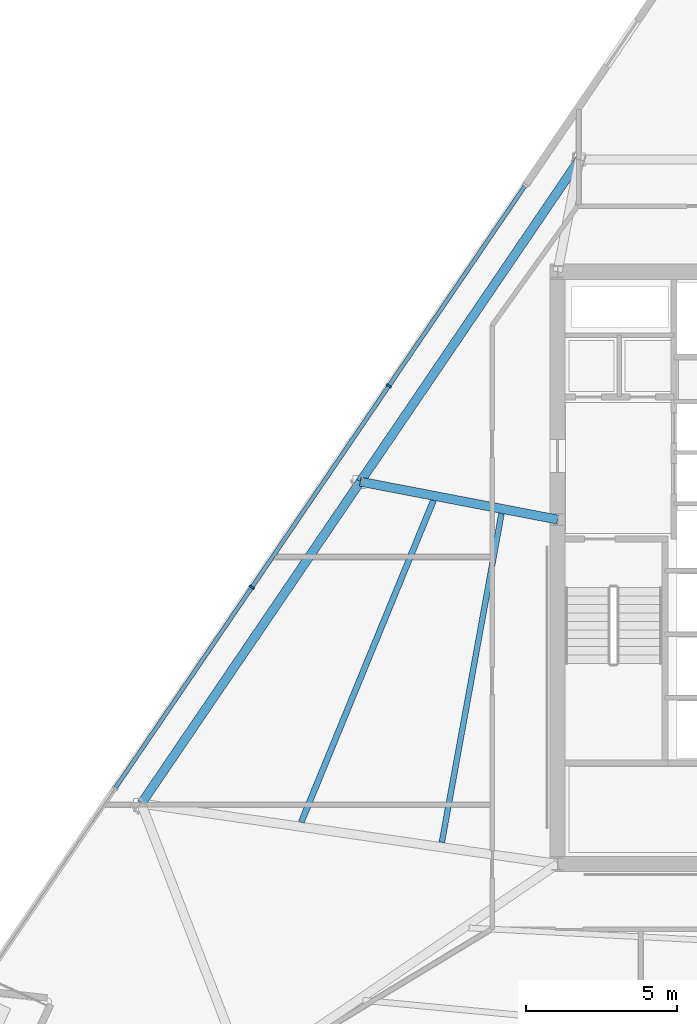
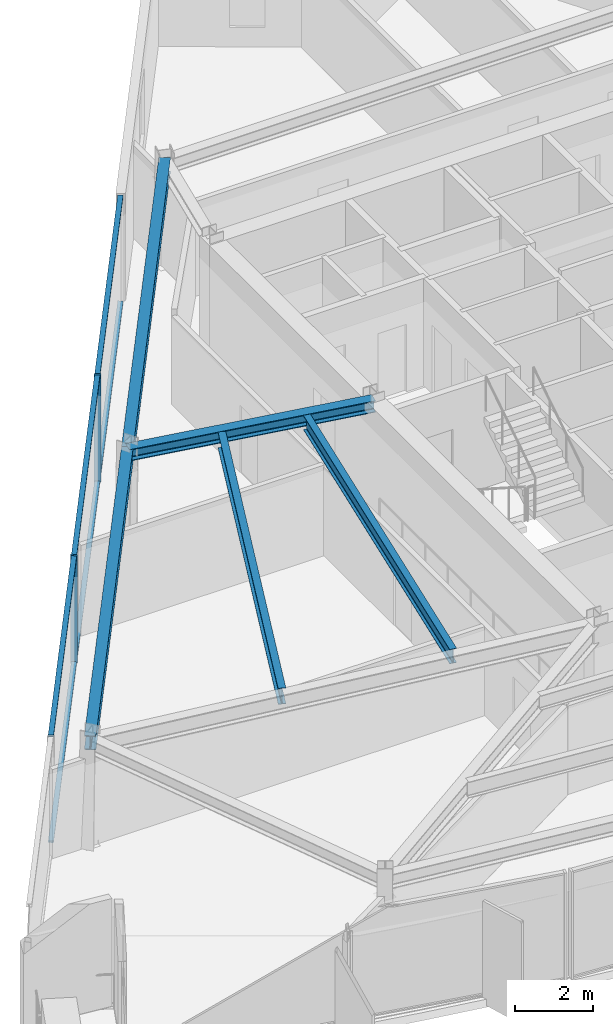
# One storey, part 3 of 15: 8 members, 5 beams, 1 element without a shape of its own.
"""IFC4 building model written with IfcOpenShell, lengths in metres."""

from ifc_helpers import new_model, si_unit, direction, frame, origin, origin_2d, place, context, subcontext, project, spatial, rectangle, i_section, extrude, material, material_profile, profile_set, type_object, element, aggregate, save


model = new_model("IFC4")

# Units and contexts
model_context = context("Model", 3, precision=1e-05, world=origin(), true_north=direction((0.0, 1.0)))
body_context = subcontext(model_context, "Body", "Model", "MODEL_VIEW")
ifc_project = project(units=[si_unit("LENGTHUNIT", "METRE"), si_unit("AREAUNIT", "SQUARE_METRE"), si_unit("VOLUMEUNIT", "CUBIC_METRE"), si_unit("PLANEANGLEUNIT", "RADIAN"), si_unit("MASSUNIT", "GRAM", prefix="KILO")], contexts=[model_context])

# Site, building, storey
site_placement = place(None, origin())
site = spatial("IfcSite", under=ifc_project, at=site_placement, CompositionType="ELEMENT")
building_placement = place(site_placement, origin())
building = spatial("IfcBuilding", under=site, at=building_placement, Name="Savorim Split Tower", CompositionType="ELEMENT")
storey_placement = place(building_placement, frame((0.0, 0.0, 142.199951171875)))
storey = spatial("IfcBuildingStorey", under=building, at=storey_placement, Name="L37", CompositionType="ELEMENT", Elevation=142.199951171875)

# Beams
ifc_material_1 = material(Name="Steel S355", Category="steel")
ifc_material_profile_1 = material_profile(ifc_material_1, i_section(OverallWidth=0.18994140625, OverallDepth=0.449951171875, WebThickness=0.009521484375, FlangeThickness=0.0146484375, FilletRadius=0.02099609375, at=origin_2d()), Name="IPE 450")
ifc_profile_set_1 = profile_set([ifc_material_profile_1], Name="Steel S355")
beam_type_1 = type_object("IfcBeamType", Name="BM-JST-IPE450", PredefinedType="JOIST", material=ifc_profile_set_1)
beam_1_placement = place(storey_placement, frame((-9.555908203125, 2.193603515625, 3.125), z_axis=(-0.17843256848, -0.983952142386, 0.0), x_axis=(0.983952142386, -0.17843256848, 0.0)))
element("IfcBeam", 1, at=beam_1_placement, inside=storey, type_object=beam_type_1, Name="L37 Secondary Floor Joist JS-11", PredefinedType="JOIST", context=body_context, shape_type="SweptSolid", body=[
    extrude(i_section(OverallWidth=0.18994140625, OverallDepth=0.449951171875, WebThickness=0.009521484375, FlangeThickness=0.0146484375, FilletRadius=0.02099609375, at=origin_2d()), origin(), (0.0, 0.0, 1.0), 11.05419921875),
])
ifc_material_profile_2 = material_profile(ifc_material_1, i_section(OverallWidth=0.199951171875, OverallDepth=0.5, WebThickness=0.01025390625, FlangeThickness=0.01611328125, FilletRadius=0.02099609375, at=origin_2d()), Name="IPE 500")
ifc_profile_set_2 = profile_set([ifc_material_profile_2], Name="Steel S355")
beam_type_2 = type_object("IfcBeamType", Name="BM-JST-IPE500", PredefinedType="JOIST", material=ifc_profile_set_2)
beam_2_placement = place(storey_placement, frame((-11.80712890625, 2.62890625, 3.10009765625), z_axis=(-0.380045300311, -0.924967874962, 0.0), x_axis=(0.924967874962, -0.380045300311, 0.0)))
element("IfcBeam", 2, at=beam_2_placement, inside=storey, type_object=beam_type_2, Name="L37 Secondary Floor Joist JS-10", PredefinedType="JOIST", context=body_context, shape_type="SweptSolid", body=[
    extrude(i_section(OverallWidth=0.199951171875, OverallDepth=0.5, WebThickness=0.01025390625, FlangeThickness=0.01611328125, FilletRadius=0.02099609375, at=origin_2d()), origin(), (0.0, 0.0, 1.0), 11.50537109375),
])
ifc_material_profile_3 = material_profile(ifc_material_1, i_section(OverallWidth=0.300048828125, OverallDepth=0.360107421875, WebThickness=0.012451171875, FlangeThickness=0.0224609375, FilletRadius=0.027099609375, at=origin_2d()), Name="HEB 360")
ifc_profile_set_3 = profile_set([ifc_material_profile_3], Name="Steel S355")
beam_type_3 = type_object("IfcBeamType", Name="BM-PRI-HEB360", PredefinedType="BEAM", material=ifc_profile_set_3)
beam_3_placement = place(storey_placement, frame((-14.226318359375, 3.253173828125, 3.170166015625), z_axis=(0.982059339351, -0.188572145327, 0.0), x_axis=(0.188572145327, 0.982059339351, 0.0)))
element("IfcBeam", 3, at=beam_3_placement, inside=storey, type_object=beam_type_3, Name="L37 Primary Floor Girder RG-09", PredefinedType="BEAM", context=body_context, shape_type="SweptSolid", body=[
    extrude(i_section(OverallWidth=0.300048828125, OverallDepth=0.360107421875, WebThickness=0.012451171875, FlangeThickness=0.0224609375, FilletRadius=0.027099609375, at=origin_2d()), origin(), (0.0, 0.0, 1.0), 6.6455078125),
])
ifc_material_profile_4 = material_profile(ifc_material_1, i_section(OverallWidth=0.300048828125, OverallDepth=0.43994140625, WebThickness=0.011474609375, FlangeThickness=0.02099609375, FilletRadius=0.027099609375, at=origin_2d()), Name="HEA 450")
ifc_profile_set_4 = profile_set([ifc_material_profile_4], Name="Steel S355")
beam_type_4 = type_object("IfcBeamType", Name="BM-SPN-HEA450", PredefinedType="SPANDREL", material=ifc_profile_set_4)
for number, where, z_axis, x_axis, name in (
    (4, (-6.977783203125, 13.908447265625, 3.130126953125), (-0.562466501565, -0.826820073908, 0.0), (0.826820073908, -0.562466501565, 0.0), "L37 Perimeter Spandrel Beam 8"),
    (5, (-14.226318359375, 3.253173828125, 3.130126953125), (-0.562466501565, -0.826820073908, 0.0), (0.826820073908, -0.562466501565, 0.0), "L37 Perimeter Spandrel Beam 9"),
):
    element("IfcBeam", number, at=place(storey_placement, frame(where, z_axis=z_axis, x_axis=x_axis)), inside=storey, type_object=beam_type_4, Name=name, PredefinedType="SPANDREL", context=body_context, shape_type="SweptSolid", body=[
        extrude(i_section(OverallWidth=0.300048828125, OverallDepth=0.43994140625, WebThickness=0.011474609375, FlangeThickness=0.02099609375, FilletRadius=0.027099609375, at=origin_2d()), origin(), (0.0, 0.0, 1.0), 12.886962890625),
    ])

# Curtain wall, members
ifc_material_2 = material(Name="Dark Ceramic-Fritted Insulated Glass", Category="glass")
curtain_wall_type = type_object("IfcCurtainWallType", Name="CW-TWR-FRIT-A", PredefinedType="NOTDEFINED", material=ifc_material_2)
curtain_wall_placement = place(storey_placement, origin())
curtain_wall = element("IfcCurtainWall", 6, at=curtain_wall_placement, inside=storey, type_object=curtain_wall_type, Name="L37 Curtain Wall CW-L37-WEST", PredefinedType="NOTDEFINED")
ifc_material_3 = material(Name="Charcoal Anodised Aluminium", Category="aluminium")
ifc_material_profile_5 = material_profile(ifc_material_3, rectangle(XDim=0.179931640625, YDim=0.06494140625, at=origin_2d()), Name="ALU-M 180x65")
ifc_profile_set_5 = profile_set([ifc_material_profile_5], Name="Charcoal Anodised Aluminium")
member_type_1 = type_object("IfcMemberType", Name="CWM-180x65", PredefinedType="MULLION", material=ifc_profile_set_5)
member_1_placement = place(storey_placement, frame((-13.281494140625, 6.42041015625, 0.0), z_axis=(0.0, 0.0, 1.0), x_axis=(0.826820104662, -0.562466456356, 0.0)))
member_1 = element("IfcMember", 7, at=member_1_placement, type_object=member_type_1, Name="CW-02 mullion 2", PredefinedType="MULLION", context=body_context, shape_type="SweptSolid", body=[
    extrude(rectangle(XDim=0.179931640625, YDim=0.06494140625, at=origin_2d()), origin(), (0.0, 0.0, 1.0), 3.35009765625),
])
member_2_placement = place(storey_placement, frame((-17.8125, -0.240234375, 0.0), z_axis=(0.0, 0.0, 1.0), x_axis=(0.826820104662, -0.562466456356, 0.0)))
member_2 = element("IfcMember", 8, at=member_2_placement, type_object=member_type_1, Name="CW-02 mullion 3", PredefinedType="MULLION", context=body_context, shape_type="SweptSolid", body=[
    extrude(rectangle(XDim=0.179931640625, YDim=0.06494140625, at=origin_2d()), origin(), (0.0, 0.0, 1.0), 3.35009765625),
])
ifc_material_profile_6 = material_profile(ifc_material_3, rectangle(XDim=0.139892578125, YDim=0.054931640625, at=origin_2d()), Name="ALU-T 140x55")
ifc_profile_set_6 = profile_set([ifc_material_profile_6], Name="Charcoal Anodised Aluminium")
member_type_2 = type_object("IfcMemberType", Name="CWT-140x55", PredefinedType="USERDEFINED", material=ifc_profile_set_6)
member_3_placement = place(storey_placement, frame((-8.787109375, 13.027099609375, 0.027587890625), z_axis=(-0.562463573117, -0.826822066056, 0.0), x_axis=(0.826822066056, -0.562463573117, 0.0)))
member_3 = element("IfcMember", 9, at=member_3_placement, type_object=member_type_2, Name="CW-02 transom 1.1", ObjectType="TRANSOM", PredefinedType="USERDEFINED", context=body_context, shape_type="SweptSolid", body=[
    extrude(rectangle(XDim=0.139892578125, YDim=0.054931640625, at=origin_2d()), origin(), (0.0, 0.0, 1.0), 7.9580078125),
])
member_4_placement = place(storey_placement, frame((-8.787109375, 13.027099609375, 3.322509765625), z_axis=(-0.562463573117, -0.826822066056, 0.0), x_axis=(0.826822066056, -0.562463573117, 0.0)))
member_4 = element("IfcMember", 10, at=member_4_placement, type_object=member_type_2, Name="CW-02 transom 1.2", ObjectType="TRANSOM", PredefinedType="USERDEFINED", context=body_context, shape_type="SweptSolid", body=[
    extrude(rectangle(XDim=0.139892578125, YDim=0.054931640625, at=origin_2d()), origin(), (0.0, 0.0, 1.0), 7.9580078125),
])
member_5_placement = place(storey_placement, frame((-13.2998046875, 6.3935546875, 0.027587890625), z_axis=(-0.562452917509, -0.826829314663, 0.0), x_axis=(0.826829314663, -0.562452917509, 0.0)))
member_5 = element("IfcMember", 11, at=member_5_placement, type_object=member_type_2, Name="CW-02 transom 2.1", ObjectType="TRANSOM", PredefinedType="USERDEFINED", context=body_context, shape_type="SweptSolid", body=[
    extrude(rectangle(XDim=0.139892578125, YDim=0.054931640625, at=origin_2d()), origin(), (0.0, 0.0, 1.0), 7.99072265625),
])
member_6_placement = place(storey_placement, frame((-13.2998046875, 6.3935546875, 3.322509765625), z_axis=(-0.562452917509, -0.826829314663, 0.0), x_axis=(0.826829314663, -0.562452917509, 0.0)))
member_6 = element("IfcMember", 12, at=member_6_placement, type_object=member_type_2, Name="CW-02 transom 2.2", ObjectType="TRANSOM", PredefinedType="USERDEFINED", context=body_context, shape_type="SweptSolid", body=[
    extrude(rectangle(XDim=0.139892578125, YDim=0.054931640625, at=origin_2d()), origin(), (0.0, 0.0, 1.0), 7.99072265625),
])
member_7_placement = place(storey_placement, frame((-17.830810546875, -0.26708984375, 0.027587890625), z_axis=(-0.562467126605, -0.826819648707, 0.0), x_axis=(0.826819648707, -0.562467126605, 0.0)))
member_7 = element("IfcMember", 13, at=member_7_placement, type_object=member_type_2, Name="CW-02 transom 3.1", ObjectType="TRANSOM", PredefinedType="USERDEFINED", context=body_context, shape_type="SweptSolid", body=[
    extrude(rectangle(XDim=0.139892578125, YDim=0.054931640625, at=origin_2d()), origin(), (0.0, 0.0, 1.0), 7.990478515625),
])
member_8_placement = place(storey_placement, frame((-17.830810546875, -0.26708984375, 3.322509765625), z_axis=(-0.562467126605, -0.826819648707, 0.0), x_axis=(0.826819648707, -0.562467126605, 0.0)))
member_8 = element("IfcMember", 14, at=member_8_placement, type_object=member_type_2, Name="CW-02 transom 3.2", ObjectType="TRANSOM", PredefinedType="USERDEFINED", context=body_context, shape_type="SweptSolid", body=[
    extrude(rectangle(XDim=0.139892578125, YDim=0.054931640625, at=origin_2d()), origin(), (0.0, 0.0, 1.0), 7.990478515625),
])
aggregate(curtain_wall, [member_1, member_2, member_3, member_4, member_5, member_6, member_7, member_8])

save(model, "model.ifc")
